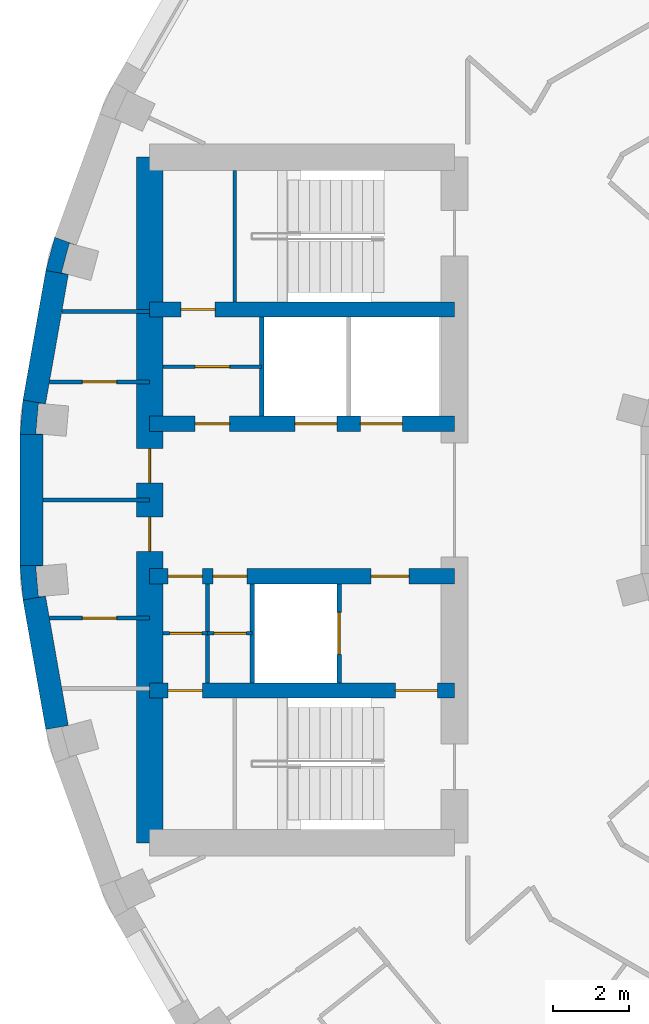
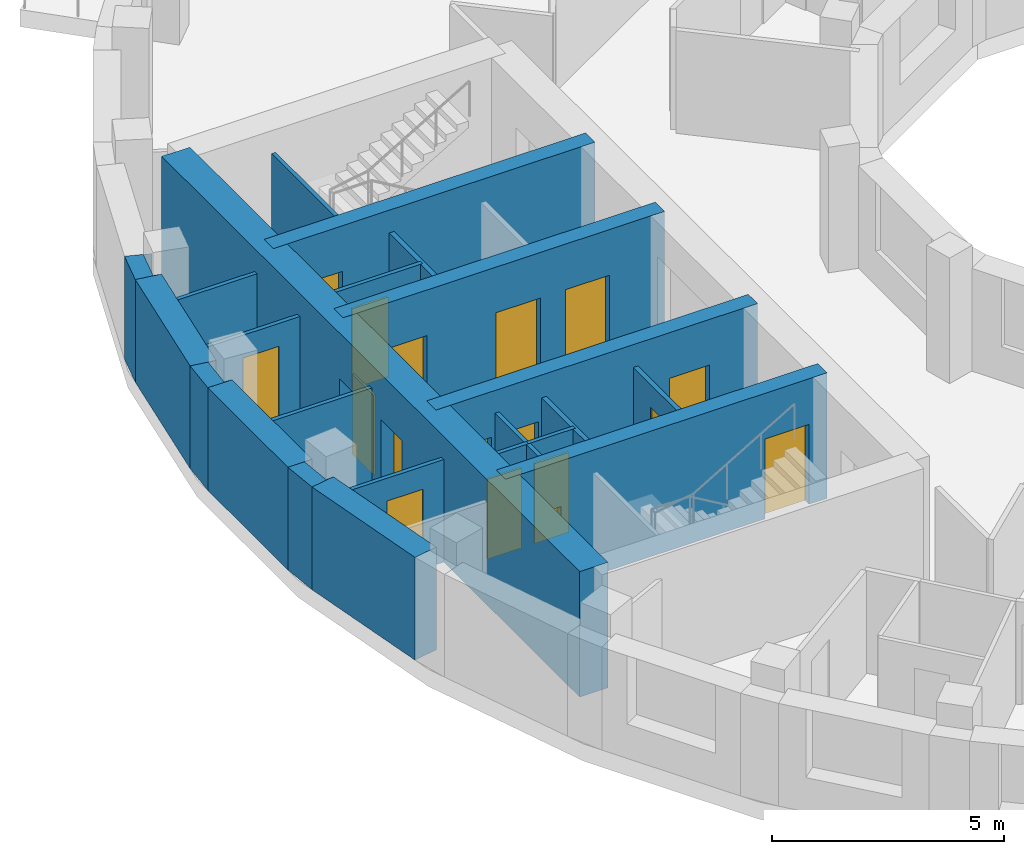
# One storey, part 6 of 14: 23 walls, 17 doors, 17 openings.
"""IFC4 building model written with IfcOpenShell, lengths in metres."""

from ifc_helpers import new_model, si_unit, direction, frame, frame_2d, origin, place, context, subcontext, project, spatial, polyline, rectangle, outline, extrude, material, layer, layer_set, type_object, element, fill, save


model = new_model("IFC4")

# Units and contexts
model_context = context("Model", 3, precision=1e-05, world=origin(), true_north=direction((0.0, 1.0)))
body_context = subcontext(model_context, "Body", "Model", "MODEL_VIEW")
ifc_project = project(units=[si_unit("LENGTHUNIT", "METRE"), si_unit("AREAUNIT", "SQUARE_METRE"), si_unit("VOLUMEUNIT", "CUBIC_METRE"), si_unit("PLANEANGLEUNIT", "RADIAN"), si_unit("MASSUNIT", "GRAM", prefix="KILO")], contexts=[model_context])

# Site, building, storey
site_placement = place(None, origin())
site = spatial("IfcSite", under=ifc_project, at=site_placement, CompositionType="ELEMENT")
building_placement = place(site_placement, origin())
building = spatial("IfcBuilding", under=site, at=building_placement, Name="Saqina Gate Tower", CompositionType="ELEMENT")
storey_placement = place(building_placement, frame((0.0, 0.0, 216.89990234375)))
storey = spatial("IfcBuildingStorey", under=building, at=storey_placement, Name="L62", CompositionType="ELEMENT", Elevation=216.89990234375)

# Walls
ifc_material_1 = material(Name="Brick masonry (buff)", Category="masonry")
wall_type_1 = type_object("IfcWallType", Name="BRICK PIER COPING BUFF", PredefinedType="SOLIDWALL", material=ifc_material_1)
wall_1_placement = place(storey_placement, origin())
element("IfcWall", 1, at=wall_1_placement, inside=storey, type_object=wall_type_1, Name="Pier cap L62 column 17", PredefinedType="SOLIDWALL", context=body_context, shape_type="SweptSolid", body=[
    extrude(outline(polyline([(-24.22705078125, 6.0234375), (-23.635986328125, 5.919189453125), (-23.81689453125, 5.967529296875), (-23.610107421875, 6.740478515625), (-23.428955078125, 6.69189453125), (-23.992919921875, 6.897216796875), (-24.22705078125, 6.0234375)])), origin(), (0.0, 0.0, 1.0), 2.7001953125),
])
wall_2_placement = place(storey_placement, origin())
element("IfcWall", 2, at=wall_2_placement, inside=storey, type_object=wall_type_1, Name="Pier cap L62 column 18", PredefinedType="SOLIDWALL", context=body_context, shape_type="SweptSolid", body=[
    extrude(outline(polyline([(-24.825927734375, 2.6259765625), (-24.90478515625, 1.724853515625), (-24.304931640625, 1.724853515625), (-24.491455078125, 1.7412109375), (-24.421630859375, 2.5380859375), (-24.235107421875, 2.521728515625), (-24.825927734375, 2.6259765625)])), origin(), (0.0, 0.0, 1.0), 2.7001953125),
])
wall_3_placement = place(storey_placement, origin())
element("IfcWall", 3, at=wall_3_placement, inside=storey, type_object=wall_type_1, Name="Pier cap L62 column 19", PredefinedType="SOLIDWALL", context=body_context, shape_type="SweptSolid", body=[
    extrude(outline(polyline([(-24.90478515625, -1.724853515625), (-24.825927734375, -2.6259765625), (-24.235107421875, -2.521728515625), (-24.421630859375, -2.5380859375), (-24.491455078125, -1.7412109375), (-24.304931640625, -1.724853515625), (-24.90478515625, -1.724853515625)])), origin(), (0.0, 0.0, 1.0), 2.7001953125),
])
ifc_material_2 = material(Name="Gypsum board on steel studs", Category="steel")
ifc_layer_1 = layer(ifc_material_2, 0.10009765625)
ifc_layer_set_1 = layer_set([ifc_layer_1], Name="CORE PARTITION")
wall_type_2 = type_object("IfcWallType", Name="CORE PARTITION", PredefinedType="PARTITIONING", material=ifc_layer_set_1)
wall_4_placement = place(storey_placement, frame((-21.5, 4.949951171875, 0.0), z_axis=(0.0, 0.0, 1.0), x_axis=(-1.0, 0.0, 0.0)))
element("IfcWall", 4, at=wall_4_placement, inside=storey, type_object=wall_type_2, Name="L62-CP-W01", PredefinedType="PARTITIONING", context=body_context, shape_type="SweptSolid", body=[
    extrude(rectangle(XDim=2.306884765625, YDim=0.10009765625, at=frame_2d((1.1533203125, 0.0))), origin(), (0.0, 0.0, 1.0), 2.7001953125),
])

# Wall, opening, door
wall_5_placement = place(storey_placement, frame((-21.5, 3.10009765625, 0.0), z_axis=(0.0, 0.0, 1.0), x_axis=(-1.0, 0.0, 0.0)))
wall_5 = element("IfcWall", 5, at=wall_5_placement, inside=storey, type_object=wall_type_2, Name="L62-CP-W02", PredefinedType="PARTITIONING", context=body_context, shape_type="SweptSolid", body=[
    extrude(rectangle(XDim=2.63330078125, YDim=0.10009765625, at=frame_2d((1.316650390625, 0.0))), origin(), (0.0, 0.0, 1.0), 2.7001953125),
])
opening_1_placement = place(wall_5_placement, frame((0.86669921875, 0.0, 0.0)))
opening_1 = element("IfcOpeningElement", 6, at=opening_1_placement, cuts=wall_5, Name="Opening G18-D111", PredefinedType="OPENING", context=body_context, shape_type="SweptSolid", body=[
    extrude(rectangle(XDim=0.89990234375, YDim=2.10009765625, at=frame_2d((0.449951171875, 1.050048828125))), frame((0.0, 0.06201171875, 0.0), z_axis=(0.0, -1.0, 0.0), x_axis=(1.0, 0.0, 0.0)), (0.0, 0.0, 1.0), 0.1240234375),
])
ifc_material_3 = material(Name="Steel-framed fire door leaf, EI 60", Category="steel")
door_type_1 = type_object("IfcDoorType", Name="SERVICE ROOM DOOR 900", OperationType="SINGLE_SWING_LEFT", PredefinedType="DOOR", material=ifc_material_3)
door_1_placement = place(opening_1_placement, origin())
door_1 = element("IfcDoor", 7, at=door_1_placement, inside=storey, type_object=door_type_1, Name="L62-CD-W22", OperationType="SINGLE_SWING_LEFT", OverallHeight=2.10009765625, OverallWidth=0.89990234375, PredefinedType="DOOR", context=body_context, shape_type="SweptSolid", body=[
    extrude(rectangle(XDim=0.89990234375, YDim=2.10009765625, at=frame_2d((0.449951171875, 1.050048828125))), frame((0.0, 0.02490234375, 0.0), z_axis=(0.0, -1.0, 0.0), x_axis=(1.0, 0.0, 0.0)), (0.0, 0.0, 1.0), 0.050048828125),
])
fill(opening_1, door_1)

wall_6_placement = place(storey_placement, frame((-21.5, -3.10009765625, 0.0), z_axis=(0.0, 0.0, 1.0), x_axis=(-1.0, 0.0, 0.0)))
wall_6 = element("IfcWall", 8, at=wall_6_placement, inside=storey, type_object=wall_type_2, Name="L62-CP-W04", PredefinedType="PARTITIONING", context=body_context, shape_type="SweptSolid", body=[
    extrude(rectangle(XDim=2.63330078125, YDim=0.10009765625, at=frame_2d((1.316650390625, 0.0))), origin(), (0.0, 0.0, 1.0), 2.7001953125),
])
opening_2_placement = place(wall_6_placement, frame((0.86669921875, 0.0, 0.0)))
opening_2 = element("IfcOpeningElement", 9, at=opening_2_placement, cuts=wall_6, Name="Opening G18-D113", PredefinedType="OPENING", context=body_context, shape_type="SweptSolid", body=[
    extrude(rectangle(XDim=0.89990234375, YDim=2.10009765625, at=frame_2d((0.449951171875, 1.050048828125))), frame((0.0, 0.06201171875, 0.0), z_axis=(0.0, -1.0, 0.0), x_axis=(1.0, 0.0, 0.0)), (0.0, 0.0, 1.0), 0.1240234375),
])
door_2_placement = place(opening_2_placement, frame((0.89990234375, 0.0, 0.0), z_axis=(0.0, 0.0, 1.0), x_axis=(-1.0, 0.0, 0.0)))
door_2 = element("IfcDoor", 10, at=door_2_placement, inside=storey, type_object=door_type_1, Name="L62-CD-W24", OperationType="SINGLE_SWING_RIGHT", OverallHeight=2.10009765625, OverallWidth=0.89990234375, PredefinedType="DOOR", context=body_context, shape_type="SweptSolid", body=[
    extrude(rectangle(XDim=0.89990234375, YDim=2.10009765625, at=frame_2d((0.449951171875, 1.050048828125))), frame((0.0, 0.02490234375, 0.0), z_axis=(0.0, -1.0, 0.0), x_axis=(1.0, 0.0, 0.0)), (0.0, 0.0, 1.0), 0.050048828125),
])
fill(opening_2, door_2)

# Walls
wall_7_placement = place(storey_placement, frame((-21.5, 0.0, 0.0), z_axis=(0.0, 0.0, 1.0), x_axis=(-1.0, 0.0, 0.0)))
element("IfcWall", 11, at=wall_7_placement, inside=storey, type_object=wall_type_2, Name="L62-CP-W05", PredefinedType="PARTITIONING", context=body_context, shape_type="SweptSolid", body=[
    extrude(rectangle(XDim=2.804931640625, YDim=0.10009765625, at=frame_2d((1.40234375, 0.0))), origin(), (0.0, 0.0, 1.0), 2.7001953125),
])
wall_8_placement = place(storey_placement, frame((-19.97998046875, -4.800048828125, 0.0), z_axis=(0.0, 0.0, 1.0), x_axis=(0.0, 1.0, 0.0)))
element("IfcWall", 12, at=wall_8_placement, inside=storey, type_object=wall_type_2, Name="L62-CP-W10", PredefinedType="PARTITIONING", context=body_context, shape_type="SweptSolid", body=[
    extrude(rectangle(XDim=2.60009765625, YDim=0.10009765625, at=frame_2d((1.300048828125, 0.0))), origin(), (0.0, 0.0, 1.0), 2.7001953125),
])

# Wall, opening, door
wall_9_placement = place(storey_placement, frame((-18.56005859375, 3.5, 0.0), z_axis=(0.0, 0.0, 1.0), x_axis=(-1.0, 0.0, 0.0)))
wall_9 = element("IfcWall", 13, at=wall_9_placement, inside=storey, type_object=wall_type_2, Name="L62-CP-W11", PredefinedType="PARTITIONING", context=body_context, shape_type="SweptSolid", body=[
    extrude(rectangle(XDim=2.58984375, YDim=0.10009765625, at=frame_2d((1.294921875, 0.0))), origin(), (0.0, 0.0, 1.0), 2.7001953125),
])
opening_3_placement = place(wall_9_placement, frame((0.844970703125, 0.0, 0.0)))
opening_3 = element("IfcOpeningElement", 14, at=opening_3_placement, cuts=wall_9, Name="Opening G18-D115", PredefinedType="OPENING", context=body_context, shape_type="SweptSolid", body=[
    extrude(rectangle(XDim=0.89990234375, YDim=2.10009765625, at=frame_2d((0.449951171875, 1.050048828125))), frame((0.0, 0.06201171875, 0.0), z_axis=(0.0, -1.0, 0.0), x_axis=(1.0, 0.0, 0.0)), (0.0, 0.0, 1.0), 0.1240234375),
])
door_3_placement = place(opening_3_placement, frame((0.89990234375, 0.0, 0.0), z_axis=(0.0, 0.0, 1.0), x_axis=(-1.0, 0.0, 0.0)))
door_3 = element("IfcDoor", 15, at=door_3_placement, inside=storey, type_object=door_type_1, Name="L62-CD-W26", OperationType="SINGLE_SWING_LEFT", OverallHeight=2.10009765625, OverallWidth=0.89990234375, PredefinedType="DOOR", context=body_context, shape_type="SweptSolid", body=[
    extrude(rectangle(XDim=0.89990234375, YDim=2.10009765625, at=frame_2d((0.449951171875, 1.050048828125))), frame((0.0, 0.02490234375, 0.0), z_axis=(0.0, -1.0, 0.0), x_axis=(1.0, 0.0, 0.0)), (0.0, 0.0, 1.0), 0.050048828125),
])
fill(opening_3, door_3)

wall_10_placement = place(storey_placement, frame((-18.81005859375, -3.5, 0.0), z_axis=(0.0, 0.0, 1.0), x_axis=(-1.0, 0.0, 0.0)))
wall_10 = element("IfcWall", 16, at=wall_10_placement, inside=storey, type_object=wall_type_2, Name="L62-CP-W12", PredefinedType="PARTITIONING", context=body_context, shape_type="SweptSolid", body=[
    extrude(rectangle(XDim=1.169921875, YDim=0.10009765625, at=frame_2d((0.5849609375, 0.0))), origin(), (0.0, 0.0, 1.0), 2.7001953125),
])
opening_4_placement = place(wall_10_placement, frame((0.14990234375, 0.0, 0.0)))
opening_4 = element("IfcOpeningElement", 17, at=opening_4_placement, cuts=wall_10, Name="Opening G18-D117", PredefinedType="OPENING", context=body_context, shape_type="SweptSolid", body=[
    extrude(rectangle(XDim=0.85009765625, YDim=2.10009765625, at=frame_2d((0.425048828125, 1.050048828125))), frame((0.0, 0.06201171875, 0.0), z_axis=(0.0, -1.0, 0.0), x_axis=(1.0, 0.0, 0.0)), (0.0, 0.0, 1.0), 0.1240234375),
])
ifc_material_4 = material(Name="Steel-framed fire door leaf, EI 60", Category="steel")
door_type_2 = type_object("IfcDoorType", Name="SERVICE ROOM DOOR 850", OperationType="SINGLE_SWING_LEFT", PredefinedType="DOOR", material=ifc_material_4)
door_4_placement = place(opening_4_placement, origin())
door_4 = element("IfcDoor", 18, at=door_4_placement, inside=storey, type_object=door_type_2, Name="L62-CD-W28", OperationType="SINGLE_SWING_LEFT", OverallHeight=2.10009765625, OverallWidth=0.85009765625, PredefinedType="DOOR", context=body_context, shape_type="SweptSolid", body=[
    extrude(rectangle(XDim=0.85009765625, YDim=2.10009765625, at=frame_2d((0.425048828125, 1.050048828125))), frame((0.0, 0.02490234375, 0.0), z_axis=(0.0, -1.0, 0.0), x_axis=(1.0, 0.0, 0.0)), (0.0, 0.0, 1.0), 0.050048828125),
])
fill(opening_4, door_4)

wall_11_placement = place(storey_placement, frame((-19.97998046875, -3.5, 0.0), z_axis=(0.0, 0.0, 1.0), x_axis=(-1.0, 0.0, 0.0)))
wall_11 = element("IfcWall", 19, at=wall_11_placement, inside=storey, type_object=wall_type_2, Name="L62-CP-W13", PredefinedType="PARTITIONING", context=body_context, shape_type="SweptSolid", body=[
    extrude(rectangle(XDim=1.169921875, YDim=0.10009765625, at=frame_2d((0.5849609375, 0.0))), origin(), (0.0, 0.0, 1.0), 2.7001953125),
])
opening_5_placement = place(wall_11_placement, frame((0.14990234375, 0.0, 0.0)))
opening_5 = element("IfcOpeningElement", 20, at=opening_5_placement, cuts=wall_11, Name="Opening G18-D118", PredefinedType="OPENING", context=body_context, shape_type="SweptSolid", body=[
    extrude(rectangle(XDim=0.85009765625, YDim=2.10009765625, at=frame_2d((0.425048828125, 1.050048828125))), frame((0.0, 0.06201171875, 0.0), z_axis=(0.0, -1.0, 0.0), x_axis=(1.0, 0.0, 0.0)), (0.0, 0.0, 1.0), 0.1240234375),
])
door_5_placement = place(opening_5_placement, origin())
door_5 = element("IfcDoor", 21, at=door_5_placement, inside=storey, type_object=door_type_2, Name="L62-CD-W29", OperationType="SINGLE_SWING_RIGHT", OverallHeight=2.10009765625, OverallWidth=0.85009765625, PredefinedType="DOOR", context=body_context, shape_type="SweptSolid", body=[
    extrude(rectangle(XDim=0.85009765625, YDim=2.10009765625, at=frame_2d((0.425048828125, 1.050048828125))), frame((0.0, 0.02490234375, 0.0), z_axis=(0.0, -1.0, 0.0), x_axis=(1.0, 0.0, 0.0)), (0.0, 0.0, 1.0), 0.050048828125),
])
fill(opening_5, door_5)

# Walls
ifc_material_5 = material(Name="Glazed ceramic tile", Category="ceramic")
ifc_layer_2 = layer(ifc_material_5, 0.60009765625)
ifc_layer_set_2 = layer_set([ifc_layer_2], Name="FW-TILE")
wall_type_3 = type_object("IfcWallType", Name="FW-TILE", PredefinedType="SOLIDWALL", material=ifc_layer_set_2)
for number, where, z_axis, x_axis, name in (
    (22, (-23.931640625, 5.97119140625, 0.0), (0.0, 0.0, 1.0), (-0.173607684551, -0.984814892183, 0.0), "Facade wall L62 facet 17"),
    (23, (-24.530517578125, -2.573974609375, 0.0), (0.0, 0.0, 1.0), (0.173607684551, -0.984814892183, 0.0), "Facade wall L62 facet 19"),
):
    element("IfcWall", number, at=place(storey_placement, frame(where, z_axis=z_axis, x_axis=x_axis)), inside=storey, type_object=wall_type_3, Name=name, PredefinedType="SOLIDWALL", context=body_context, shape_type="SweptSolid", body=[
        extrude(rectangle(XDim=3.44970703125, YDim=0.60009765625, at=frame_2d((1.724853515625, 0.0))), origin(), (0.0, 0.0, 1.0), 2.7001953125),
    ])
ifc_material_6 = material(Name="Glazed ceramic tile (white)", Category="ceramic")
ifc_layer_3 = layer(ifc_material_6, 0.60009765625)
ifc_layer_set_3 = layer_set([ifc_layer_3], Name="FW-TILE-WH")
wall_type_4 = type_object("IfcWallType", Name="FW-TILE-WH", PredefinedType="SOLIDWALL", material=ifc_layer_set_3)
wall_12_placement = place(storey_placement, frame((-24.60498046875, 1.724853515625, 0.0), z_axis=(0.0, 0.0, 1.0), x_axis=(0.0, -1.0, 0.0)))
element("IfcWall", 24, at=wall_12_placement, inside=storey, type_object=wall_type_4, Name="Facade wall L62 facet 18", PredefinedType="SOLIDWALL", context=body_context, shape_type="SweptSolid", body=[
    extrude(rectangle(XDim=3.44970703125, YDim=0.60009765625, at=frame_2d((1.724853515625, 0.0))), origin(), (0.0, 0.0, 1.0), 2.7001953125),
])
ifc_material_7 = material(Name="Autoclaved aerated concrete block", Category="concrete")
ifc_layer_4 = layer(ifc_material_7, 0.1201171875)
ifc_layer_set_4 = layer_set([ifc_layer_4], Name="SHAFT PARTITION")
wall_type_5 = type_object("IfcWallType", Name="SHAFT PARTITION", PredefinedType="PARTITIONING", material=ifc_layer_set_4)
wall_13_placement = place(storey_placement, frame((-18.56005859375, 2.199951171875, 0.0), z_axis=(0.0, 0.0, 1.0), x_axis=(0.0, 1.0, 0.0)))
element("IfcWall", 25, at=wall_13_placement, inside=storey, type_object=wall_type_5, Name="L62-CP-W07", PredefinedType="PARTITIONING", context=body_context, shape_type="SweptSolid", body=[
    extrude(rectangle(XDim=2.60009765625, YDim=0.1201171875, at=frame_2d((1.300048828125, 0.0))), origin(), (0.0, 0.0, 1.0), 2.7001953125),
])

# Wall, opening, door
wall_14_placement = place(storey_placement, frame((-16.530029296875, -4.800048828125, 0.0), z_axis=(0.0, 0.0, 1.0), x_axis=(0.0, 1.0, 0.0)))
wall_14 = element("IfcWall", 26, at=wall_14_placement, inside=storey, type_object=wall_type_5, Name="L62-CP-W08", PredefinedType="PARTITIONING", context=body_context, shape_type="SweptSolid", body=[
    extrude(rectangle(XDim=2.60009765625, YDim=0.1201171875, at=frame_2d((1.300048828125, 0.0))), origin(), (0.0, 0.0, 1.0), 2.7001953125),
])
opening_6_placement = place(wall_14_placement, frame((0.75, 0.0, 0.0)))
opening_6 = element("IfcOpeningElement", 27, at=opening_6_placement, cuts=wall_14, Name="Opening G18-LD6", PredefinedType="OPENING", context=body_context, shape_type="SweptSolid", body=[
    extrude(rectangle(XDim=1.10009765625, YDim=2.10009765625, at=frame_2d((0.550048828125, 1.050048828125))), frame((0.0, 0.072021484375, 0.0), z_axis=(0.0, -1.0, 0.0), x_axis=(1.0, 0.0, 0.0)), (0.0, 0.0, 1.0), 0.14404296875),
])
ifc_material_8 = material(Name="Stainless steel", Category="steel")
door_type_3 = type_object("IfcDoorType", Name="LANDING DOOR", OperationType="DOUBLE_DOOR_SLIDING", PredefinedType="DOOR", material=ifc_material_8)
door_6_placement = place(opening_6_placement, origin())
door_6 = element("IfcDoor", 28, at=door_6_placement, inside=storey, type_object=door_type_3, Name="LANDING DOOR FF2", OperationType="DOUBLE_DOOR_SLIDING", OverallHeight=2.10009765625, OverallWidth=1.10009765625, PredefinedType="DOOR", context=body_context, shape_type="SweptSolid", body=[
    extrude(rectangle(XDim=1.10009765625, YDim=2.10009765625, at=frame_2d((0.550048828125, 1.050048828125))), frame((0.0, 0.02490234375, 0.0), z_axis=(0.0, -1.0, 0.0), x_axis=(1.0, 0.0, 0.0)), (0.0, 0.0, 1.0), 0.050048828125),
])
fill(opening_6, door_6)

# Walls
wall_15_placement = place(storey_placement, frame((-18.81005859375, -4.800048828125, 0.0), z_axis=(0.0, 0.0, 1.0), x_axis=(0.0, 1.0, 0.0)))
element("IfcWall", 29, at=wall_15_placement, inside=storey, type_object=wall_type_5, Name="L62-CP-W09", PredefinedType="PARTITIONING", context=body_context, shape_type="SweptSolid", body=[
    extrude(rectangle(XDim=2.60009765625, YDim=0.1201171875, at=frame_2d((1.300048828125, 0.0))), origin(), (0.0, 0.0, 1.0), 2.7001953125),
])
ifc_material_9 = material(Name="Autoclaved aerated concrete block", Category="concrete")
ifc_layer_5 = layer(ifc_material_9, 0.10009765625)
ifc_layer_set_5 = layer_set([ifc_layer_5], Name="STAIR ENCLOSURE WALL")
wall_type_6 = type_object("IfcWallType", Name="STAIR ENCLOSURE WALL", PredefinedType="PARTITIONING", material=ifc_layer_set_5)
wall_16_placement = place(storey_placement, frame((-19.27001953125, 5.199951171875, 0.0), z_axis=(0.0, 0.0, 1.0), x_axis=(0.0, 1.0, 0.0)))
element("IfcWall", 30, at=wall_16_placement, inside=storey, type_object=wall_type_6, Name="L62-CP-W14", PredefinedType="PARTITIONING", context=body_context, shape_type="SweptSolid", body=[
    extrude(rectangle(XDim=3.449951171875, YDim=0.10009765625, at=frame_2d((1.72509765625, 0.0))), origin(), (0.0, 0.0, 1.0), 2.7001953125),
])

# Wall, opening, door
ifc_material_10 = material(Name="Concrete C60/75", Category="concrete")
ifc_layer_6 = layer(ifc_material_10, 0.39990234375)
ifc_layer_set_6 = layer_set([ifc_layer_6], Name="Concrete C60/75")
wall_type_7 = type_object("IfcWallType", Name="STR-CORE WALL-C-I", PredefinedType="SHEAR", material=ifc_layer_set_6)
wall_17_placement = place(storey_placement, frame((-13.5, 5.0, 0.0), z_axis=(0.0, 0.0, 1.0), x_axis=(-1.0, 0.0, 0.0)))
wall_17 = element("IfcWall", 31, at=wall_17_placement, inside=storey, type_object=wall_type_7, Name="CORE WALL L62 W-X1", PredefinedType="SHEAR", context=body_context, shape_type="SweptSolid", body=[
    extrude(rectangle(XDim=8.0, YDim=0.39990234375, at=frame_2d((4.0, 0.0))), origin(), (0.0, 0.0, 1.0), 3.300048828125),
])
opening_7_placement = place(wall_17_placement, frame((6.284912109375, 0.0, 0.0)))
opening_7 = element("IfcOpeningElement", 32, at=opening_7_placement, cuts=wall_17, Name="Opening G18-D116", PredefinedType="OPENING", context=body_context, shape_type="SweptSolid", body=[
    extrude(rectangle(XDim=0.89990234375, YDim=2.10009765625, at=frame_2d((0.449951171875, 1.050048828125))), frame((0.0, 0.2119140625, 0.0), z_axis=(0.0, -1.0, 0.0), x_axis=(1.0, 0.0, 0.0)), (0.0, 0.0, 1.0), 0.423828125),
])
door_7_placement = place(opening_7_placement, frame((0.89990234375, 0.0, 0.0), z_axis=(0.0, 0.0, 1.0), x_axis=(-1.0, 0.0, 0.0)))
door_7 = element("IfcDoor", 33, at=door_7_placement, inside=storey, type_object=door_type_1, Name="L62-CD-W27", OperationType="SINGLE_SWING_LEFT", OverallHeight=2.10009765625, OverallWidth=0.89990234375, PredefinedType="DOOR", context=body_context, shape_type="SweptSolid", body=[
    extrude(rectangle(XDim=0.89990234375, YDim=2.10009765625, at=frame_2d((0.449951171875, 1.050048828125))), frame((0.0, 0.02490234375, 0.0), z_axis=(0.0, -1.0, 0.0), x_axis=(1.0, 0.0, 0.0)), (0.0, 0.0, 1.0), 0.050048828125),
])
fill(opening_7, door_7)

# Wall, openings, doors
wall_18_placement = place(storey_placement, frame((-13.5, -5.0, 0.0), z_axis=(0.0, 0.0, 1.0), x_axis=(-1.0, 0.0, 0.0)))
wall_18 = element("IfcWall", 34, at=wall_18_placement, inside=storey, type_object=wall_type_7, Name="CORE WALL L62 W-X2", PredefinedType="SHEAR", context=body_context, shape_type="SweptSolid", body=[
    extrude(rectangle(XDim=8.0, YDim=0.39990234375, at=frame_2d((4.0, 0.0))), origin(), (0.0, 0.0, 1.0), 3.300048828125),
])
opening_8_placement = place(wall_18_placement, frame((6.614990234375, 0.0, 0.0)))
opening_8 = element("IfcOpeningElement", 35, at=opening_8_placement, cuts=wall_18, Name="Opening G18-D119", PredefinedType="OPENING", context=body_context, shape_type="SweptSolid", body=[
    extrude(rectangle(XDim=0.89990234375, YDim=2.10009765625, at=frame_2d((0.449951171875, 1.050048828125))), frame((0.0, 0.2119140625, 0.0), z_axis=(0.0, -1.0, 0.0), x_axis=(1.0, 0.0, 0.0)), (0.0, 0.0, 1.0), 0.423828125),
])
opening_9_placement = place(wall_18_placement, frame((0.449951171875, 0.0, 0.0)))
opening_9 = element("IfcOpeningElement", 36, at=opening_9_placement, cuts=wall_18, Name="Opening G18-D120", PredefinedType="OPENING", context=body_context, shape_type="SweptSolid", body=[
    extrude(rectangle(XDim=1.10009765625, YDim=2.10009765625, at=frame_2d((0.550048828125, 1.050048828125))), frame((0.0, 0.2119140625, 0.0), z_axis=(0.0, -1.0, 0.0), x_axis=(1.0, 0.0, 0.0)), (0.0, 0.0, 1.0), 0.423828125),
])
ifc_material_11 = material(Name="Steel", Category="steel")
door_type_4 = type_object("IfcDoorType", Name="FIRE LOBBY DOOR EI 60 WIDE", OperationType="SINGLE_SWING_LEFT", PredefinedType="DOOR", material=ifc_material_11)
door_8_placement = place(opening_9_placement, origin())
door_8 = element("IfcDoor", 37, at=door_8_placement, inside=storey, type_object=door_type_4, Name="L62-CD-W31", OperationType="SINGLE_SWING_LEFT", OverallHeight=2.10009765625, OverallWidth=1.10009765625, PredefinedType="DOOR", context=body_context, shape_type="SweptSolid", body=[
    extrude(rectangle(XDim=1.10009765625, YDim=2.10009765625, at=frame_2d((0.550048828125, 1.050048828125))), frame((0.0, 0.02490234375, 0.0), z_axis=(0.0, -1.0, 0.0), x_axis=(1.0, 0.0, 0.0)), (0.0, 0.0, 1.0), 0.050048828125),
])
fill(opening_9, door_8)
door_9_placement = place(opening_8_placement, origin())
door_9 = element("IfcDoor", 38, at=door_9_placement, inside=storey, type_object=door_type_1, Name="L62-CD-W30", OperationType="SINGLE_SWING_RIGHT", OverallHeight=2.10009765625, OverallWidth=0.89990234375, PredefinedType="DOOR", context=body_context, shape_type="SweptSolid", body=[
    extrude(rectangle(XDim=0.89990234375, YDim=2.10009765625, at=frame_2d((0.449951171875, 1.050048828125))), frame((0.0, 0.02490234375, 0.0), z_axis=(0.0, -1.0, 0.0), x_axis=(1.0, 0.0, 0.0)), (0.0, 0.0, 1.0), 0.050048828125),
])
fill(opening_8, door_9)

wall_19_placement = place(storey_placement, frame((-13.5, 2.0, 0.0), z_axis=(0.0, 0.0, 1.0), x_axis=(-1.0, 0.0, 0.0)))
wall_19 = element("IfcWall", 39, at=wall_19_placement, inside=storey, type_object=wall_type_7, Name="CORE WALL L62 W-L1", PredefinedType="SHEAR", context=body_context, shape_type="SweptSolid", body=[
    extrude(rectangle(XDim=8.0, YDim=0.39990234375, at=frame_2d((4.0, 0.0))), origin(), (0.0, 0.0, 1.0), 3.300048828125),
])
opening_10_placement = place(wall_19_placement, frame((1.3701171875, 0.0, 0.0)))
opening_10 = element("IfcOpeningElement", 40, at=opening_10_placement, cuts=wall_19, Name="Opening G18-LD4", PredefinedType="OPENING", context=body_context, shape_type="SweptSolid", body=[
    extrude(rectangle(XDim=1.10009765625, YDim=2.10009765625, at=frame_2d((0.550048828125, 1.050048828125))), frame((0.0, 0.2119140625, 0.0), z_axis=(0.0, -1.0, 0.0), x_axis=(1.0, 0.0, 0.0)), (0.0, 0.0, 1.0), 0.423828125),
])
opening_11_placement = place(wall_19_placement, frame((3.090087890625, 0.0, 0.0)))
opening_11 = element("IfcOpeningElement", 41, at=opening_11_placement, cuts=wall_19, Name="Opening G18-LD5", PredefinedType="OPENING", context=body_context, shape_type="SweptSolid", body=[
    extrude(rectangle(XDim=1.10009765625, YDim=2.10009765625, at=frame_2d((0.550048828125, 1.050048828125))), frame((0.0, 0.2119140625, 0.0), z_axis=(0.0, -1.0, 0.0), x_axis=(1.0, 0.0, 0.0)), (0.0, 0.0, 1.0), 0.423828125),
])
opening_12_placement = place(wall_19_placement, frame((5.905029296875, 0.0, 0.0)))
opening_12 = element("IfcOpeningElement", 42, at=opening_12_placement, cuts=wall_19, Name="Opening G18-D107", PredefinedType="OPENING", context=body_context, shape_type="SweptSolid", body=[
    extrude(rectangle(XDim=0.89990234375, YDim=2.10009765625, at=frame_2d((0.449951171875, 1.050048828125))), frame((0.0, 0.2119140625, 0.0), z_axis=(0.0, -1.0, 0.0), x_axis=(1.0, 0.0, 0.0)), (0.0, 0.0, 1.0), 0.423828125),
])
door_10_placement = place(opening_10_placement, origin())
door_10 = element("IfcDoor", 43, at=door_10_placement, inside=storey, type_object=door_type_3, Name="LANDING DOOR HR3", OperationType="DOUBLE_DOOR_SLIDING", OverallHeight=2.10009765625, OverallWidth=1.10009765625, PredefinedType="DOOR", context=body_context, shape_type="SweptSolid", body=[
    extrude(rectangle(XDim=1.10009765625, YDim=2.10009765625, at=frame_2d((0.550048828125, 1.050048828125))), frame((0.0, 0.02490234375, 0.0), z_axis=(0.0, -1.0, 0.0), x_axis=(1.0, 0.0, 0.0)), (0.0, 0.0, 1.0), 0.050048828125),
])
fill(opening_10, door_10)
door_11_placement = place(opening_11_placement, origin())
door_11 = element("IfcDoor", 44, at=door_11_placement, inside=storey, type_object=door_type_3, Name="LANDING DOOR HR4", OperationType="DOUBLE_DOOR_SLIDING", OverallHeight=2.10009765625, OverallWidth=1.10009765625, PredefinedType="DOOR", context=body_context, shape_type="SweptSolid", body=[
    extrude(rectangle(XDim=1.10009765625, YDim=2.10009765625, at=frame_2d((0.550048828125, 1.050048828125))), frame((0.0, 0.02490234375, 0.0), z_axis=(0.0, -1.0, 0.0), x_axis=(1.0, 0.0, 0.0)), (0.0, 0.0, 1.0), 0.050048828125),
])
fill(opening_11, door_11)
door_12_placement = place(opening_12_placement, frame((0.89990234375, 0.0, 0.0), z_axis=(0.0, 0.0, 1.0), x_axis=(-1.0, 0.0, 0.0)))
door_12 = element("IfcDoor", 45, at=door_12_placement, inside=storey, type_object=door_type_1, Name="L62-CD-W18", OperationType="SINGLE_SWING_LEFT", OverallHeight=2.10009765625, OverallWidth=0.89990234375, PredefinedType="DOOR", context=body_context, shape_type="SweptSolid", body=[
    extrude(rectangle(XDim=0.89990234375, YDim=2.10009765625, at=frame_2d((0.449951171875, 1.050048828125))), frame((0.0, 0.02490234375, 0.0), z_axis=(0.0, -1.0, 0.0), x_axis=(1.0, 0.0, 0.0)), (0.0, 0.0, 1.0), 0.050048828125),
])
fill(opening_12, door_12)

wall_20_placement = place(storey_placement, frame((-13.5, -2.0, 0.0), z_axis=(0.0, 0.0, 1.0), x_axis=(-1.0, 0.0, 0.0)))
wall_20 = element("IfcWall", 46, at=wall_20_placement, inside=storey, type_object=wall_type_7, Name="CORE WALL L62 W-L2", PredefinedType="SHEAR", context=body_context, shape_type="SweptSolid", body=[
    extrude(rectangle(XDim=8.0, YDim=0.39990234375, at=frame_2d((4.0, 0.0))), origin(), (0.0, 0.0, 1.0), 3.300048828125),
])
opening_13_placement = place(wall_20_placement, frame((1.18994140625, 0.0, 0.0)))
opening_13 = element("IfcOpeningElement", 47, at=opening_13_placement, cuts=wall_20, Name="Opening G18-D108", PredefinedType="OPENING", context=body_context, shape_type="SweptSolid", body=[
    extrude(rectangle(XDim=1.0, YDim=2.10009765625, at=frame_2d((0.5, 1.050048828125))), frame((0.0, 0.2119140625, 0.0), z_axis=(0.0, -1.0, 0.0), x_axis=(1.0, 0.0, 0.0)), (0.0, 0.0, 1.0), 0.423828125),
])
opening_14_placement = place(wall_20_placement, frame((5.445068359375, 0.0, 0.0)))
opening_14 = element("IfcOpeningElement", 48, at=opening_14_placement, cuts=wall_20, Name="Opening G18-D109", PredefinedType="OPENING", context=body_context, shape_type="SweptSolid", body=[
    extrude(rectangle(XDim=0.89990234375, YDim=2.10009765625, at=frame_2d((0.449951171875, 1.050048828125))), frame((0.0, 0.2119140625, 0.0), z_axis=(0.0, -1.0, 0.0), x_axis=(1.0, 0.0, 0.0)), (0.0, 0.0, 1.0), 0.423828125),
])
opening_15_placement = place(wall_20_placement, frame((6.614990234375, 0.0, 0.0)))
opening_15 = element("IfcOpeningElement", 49, at=opening_15_placement, cuts=wall_20, Name="Opening G18-D110", PredefinedType="OPENING", context=body_context, shape_type="SweptSolid", body=[
    extrude(rectangle(XDim=0.89990234375, YDim=2.10009765625, at=frame_2d((0.449951171875, 1.050048828125))), frame((0.0, 0.2119140625, 0.0), z_axis=(0.0, -1.0, 0.0), x_axis=(1.0, 0.0, 0.0)), (0.0, 0.0, 1.0), 0.423828125),
])
ifc_material_12 = material(Name="Steel", Category="steel")
door_type_5 = type_object("IfcDoorType", Name="FIRE LOBBY DOOR EI 60", OperationType="SINGLE_SWING_LEFT", PredefinedType="DOOR", material=ifc_material_12)
door_13_placement = place(opening_13_placement, frame((1.0, 0.0, 0.0), z_axis=(0.0, 0.0, 1.0), x_axis=(-1.0, 0.0, 0.0)))
door_13 = element("IfcDoor", 50, at=door_13_placement, inside=storey, type_object=door_type_5, Name="L62-CD-W19", OperationType="SINGLE_SWING_RIGHT", OverallHeight=2.10009765625, OverallWidth=1.0, PredefinedType="DOOR", context=body_context, shape_type="SweptSolid", body=[
    extrude(rectangle(XDim=1.0, YDim=2.10009765625, at=frame_2d((0.5, 1.050048828125))), frame((0.0, 0.02490234375, 0.0), z_axis=(0.0, -1.0, 0.0), x_axis=(1.0, 0.0, 0.0)), (0.0, 0.0, 1.0), 0.050048828125),
])
fill(opening_13, door_13)
door_14_placement = place(opening_14_placement, origin())
door_14 = element("IfcDoor", 51, at=door_14_placement, inside=storey, type_object=door_type_1, Name="L62-CD-W20", OperationType="SINGLE_SWING_LEFT", OverallHeight=2.10009765625, OverallWidth=0.89990234375, PredefinedType="DOOR", context=body_context, shape_type="SweptSolid", body=[
    extrude(rectangle(XDim=0.89990234375, YDim=2.10009765625, at=frame_2d((0.449951171875, 1.050048828125))), frame((0.0, 0.02490234375, 0.0), z_axis=(0.0, -1.0, 0.0), x_axis=(1.0, 0.0, 0.0)), (0.0, 0.0, 1.0), 0.050048828125),
])
fill(opening_14, door_14)
door_15_placement = place(opening_15_placement, origin())
door_15 = element("IfcDoor", 52, at=door_15_placement, inside=storey, type_object=door_type_1, Name="L62-CD-W21", OperationType="SINGLE_SWING_RIGHT", OverallHeight=2.10009765625, OverallWidth=0.89990234375, PredefinedType="DOOR", context=body_context, shape_type="SweptSolid", body=[
    extrude(rectangle(XDim=0.89990234375, YDim=2.10009765625, at=frame_2d((0.449951171875, 1.050048828125))), frame((0.0, 0.02490234375, 0.0), z_axis=(0.0, -1.0, 0.0), x_axis=(1.0, 0.0, 0.0)), (0.0, 0.0, 1.0), 0.050048828125),
])
fill(opening_15, door_15)

ifc_material_13 = material(Name="Concrete C60/75", Category="concrete")
ifc_layer_7 = layer(ifc_material_13, 0.699951171875)
ifc_layer_set_7 = layer_set([ifc_layer_7], Name="Concrete C60/75")
wall_type_8 = type_object("IfcWallType", Name="STR-CORE WALL-C-O", PredefinedType="SHEAR", material=ifc_layer_set_7)
wall_21_placement = place(storey_placement, frame((-21.5, -9.0, 0.0), z_axis=(0.0, 0.0, 1.0), x_axis=(0.0, 1.0, 0.0)))
wall_21 = element("IfcWall", 53, at=wall_21_placement, inside=storey, type_object=wall_type_8, Name="CORE WALL L62 W-W2", PredefinedType="SHEAR", context=body_context, shape_type="SweptSolid", body=[
    extrude(rectangle(XDim=18.0, YDim=0.699951171875, at=frame_2d((9.0, 0.0))), origin(), (0.0, 0.0, 1.0), 3.300048828125),
])
opening_16_placement = place(wall_21_placement, frame((9.449951171875, 0.0, 0.0)))
opening_16 = element("IfcOpeningElement", 54, at=opening_16_placement, cuts=wall_21, Name="Opening G18-D112", PredefinedType="OPENING", context=body_context, shape_type="SweptSolid", body=[
    extrude(rectangle(XDim=0.89990234375, YDim=2.10009765625, at=frame_2d((0.449951171875, 1.050048828125))), frame((0.0, 0.362060546875, 0.0), z_axis=(0.0, -1.0, 0.0), x_axis=(1.0, 0.0, 0.0)), (0.0, 0.0, 1.0), 0.723876953125),
])
opening_17_placement = place(wall_21_placement, frame((7.64990234375, 0.0, 0.0)))
opening_17 = element("IfcOpeningElement", 55, at=opening_17_placement, cuts=wall_21, Name="Opening G18-D114", PredefinedType="OPENING", context=body_context, shape_type="SweptSolid", body=[
    extrude(rectangle(XDim=0.89990234375, YDim=2.10009765625, at=frame_2d((0.449951171875, 1.050048828125))), frame((0.0, 0.362060546875, 0.0), z_axis=(0.0, -1.0, 0.0), x_axis=(1.0, 0.0, 0.0)), (0.0, 0.0, 1.0), 0.723876953125),
])
door_16_placement = place(opening_16_placement, origin())
door_16 = element("IfcDoor", 56, at=door_16_placement, inside=storey, type_object=door_type_1, Name="L62-CD-W23", OperationType="SINGLE_SWING_LEFT", OverallHeight=2.10009765625, OverallWidth=0.89990234375, PredefinedType="DOOR", context=body_context, shape_type="SweptSolid", body=[
    extrude(rectangle(XDim=0.89990234375, YDim=2.10009765625, at=frame_2d((0.449951171875, 1.050048828125))), frame((0.0, 0.02490234375, 0.0), z_axis=(0.0, -1.0, 0.0), x_axis=(1.0, 0.0, 0.0)), (0.0, 0.0, 1.0), 0.050048828125),
])
fill(opening_16, door_16)
door_17_placement = place(opening_17_placement, origin())
door_17 = element("IfcDoor", 57, at=door_17_placement, inside=storey, type_object=door_type_1, Name="L62-CD-W25", OperationType="SINGLE_SWING_RIGHT", OverallHeight=2.10009765625, OverallWidth=0.89990234375, PredefinedType="DOOR", context=body_context, shape_type="SweptSolid", body=[
    extrude(rectangle(XDim=0.89990234375, YDim=2.10009765625, at=frame_2d((0.449951171875, 1.050048828125))), frame((0.0, 0.02490234375, 0.0), z_axis=(0.0, -1.0, 0.0), x_axis=(1.0, 0.0, 0.0)), (0.0, 0.0, 1.0), 0.050048828125),
])
fill(opening_17, door_17)

save(model, "model.ifc")
